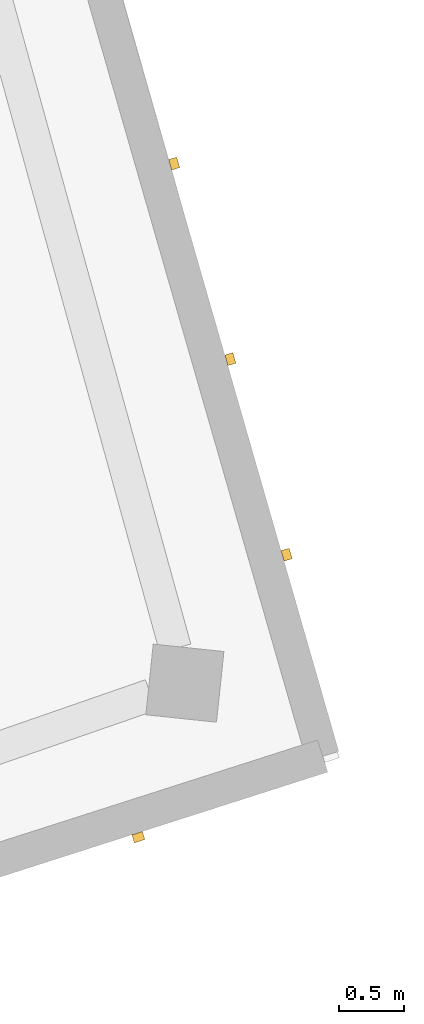
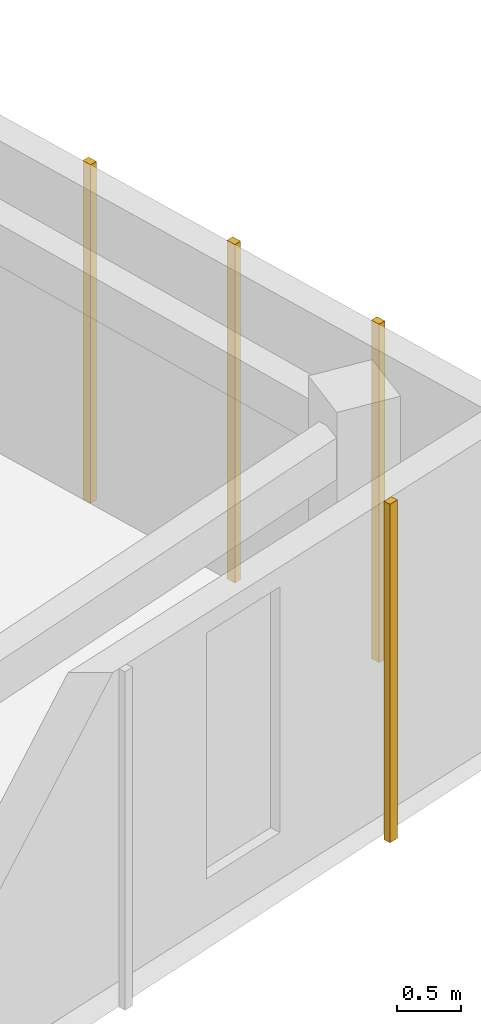
# One storey, part 63 of 65: 4 coverings.
"""IFC4 building model written with IfcOpenShell, lengths in metres."""

from ifc_helpers import new_model, si_unit, direction, frame, origin, origin_2d, place, context, subcontext, project, spatial, rectangle, extrude, material, layer, layer_set, type_object, element, save


model = new_model("IFC4")

# Units and contexts
model_context = context("Model", 3, precision=1e-05, world=origin(), true_north=direction((0.0, 1.0)))
body_context = subcontext(model_context, "Body", "Model", "MODEL_VIEW")
ifc_project = project(units=[si_unit("LENGTHUNIT", "METRE"), si_unit("AREAUNIT", "SQUARE_METRE"), si_unit("VOLUMEUNIT", "CUBIC_METRE"), si_unit("PLANEANGLEUNIT", "RADIAN"), si_unit("MASSUNIT", "GRAM", prefix="KILO")], contexts=[model_context])

# Site, building, storey
site_placement = place(None, origin())
site = spatial("IfcSite", under=ifc_project, at=site_placement, CompositionType="ELEMENT")
building_placement = place(site_placement, origin())
building = spatial("IfcBuilding", under=site, at=building_placement, Name="Kestramere Prow Commons", CompositionType="ELEMENT")
storey_placement = place(building_placement, frame((0.0, 0.0, 21.39990234375)))
storey = spatial("IfcBuildingStorey", under=building, at=storey_placement, Name="L06", CompositionType="ELEMENT", Elevation=21.39990234375)

# Coverings
ifc_material = material(Name="Weathered Zinc-Titanium Standing-Seam Cladding")
ifc_layer = layer(ifc_material, 0.074951171875)
ifc_layer_set = layer_set([ifc_layer], Name="Weathered Zinc-Titanium Standing-Seam Cladding")
covering_type = type_object("IfcCoveringType", Name="COV-CLAD-SEAM", PredefinedType="CLADDING", material=ifc_layer_set)
for number, where, z_axis, x_axis, name in (
    (1, (164.437255859375, 96.159423828125, -0.25), (0.0, 0.0, 1.0), (0.27631844013, -0.961066136977, 0.0), "EW-B-L06-PRW-N Standing-Seam Rib 9"),
    (2, (164.87255859375, 94.645263671875, -0.25), (0.0, 0.0, 1.0), (0.27631844013, -0.961066136977, 0.0), "EW-B-L06-PRW-N Standing-Seam Rib 10"),
    (3, (165.307861328125, 93.131103515625, -0.25), (0.0, 0.0, 1.0), (0.27631844013, -0.961066136977, 0.0), "EW-B-L06-PRW-N Standing-Seam Rib 11"),
    (4, (164.16015625, 90.94384765625, -0.25), (0.0, 0.0, 1.0), (-0.952283464374, -0.305215011884, 0.0), "EW-B-L06-PRW-S Standing-Seam Rib 1"),
):
    element("IfcCovering", number, at=place(storey_placement, frame(where, z_axis=z_axis, x_axis=x_axis)), inside=storey, type_object=covering_type, Name=name, PredefinedType="CLADDING", context=body_context, shape_type="SweptSolid", body=[
        extrude(rectangle(XDim=0.0849609375, YDim=0.06494140625, at=origin_2d()), origin(), (0.0, 0.0, 1.0), 3.25),
    ])

save(model, "model.ifc")
